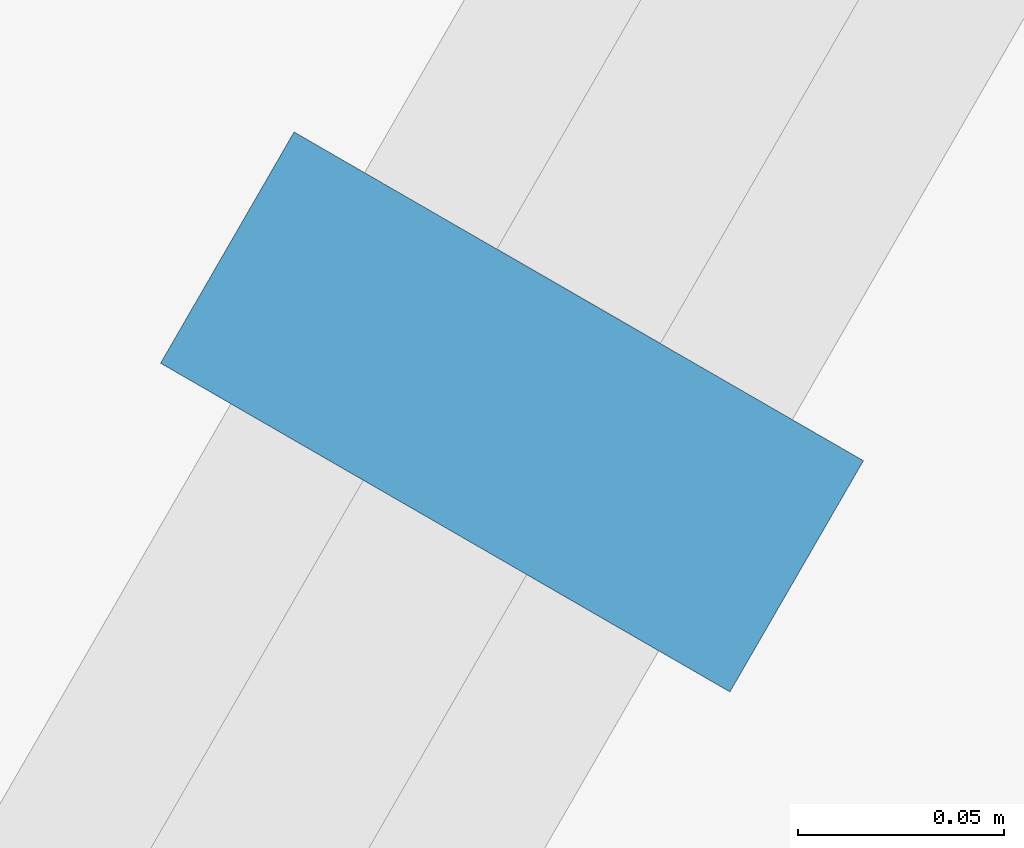
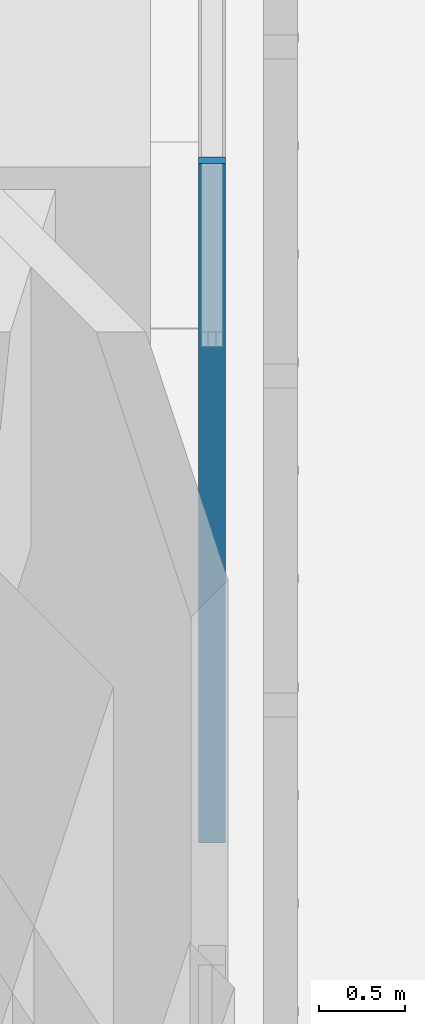
# One storey, part 81 of 228: 1 member, 1 element without a shape of its own.
"""IFC4 building model written with IfcOpenShell, lengths in metres."""

from ifc_helpers import new_model, si_unit, direction, frame, origin, origin_2d, place, context, subcontext, project, spatial, rectangle, extrude, material, material_profile, profile_set, type_object, element, aggregate, save


model = new_model("IFC4")

# Units and contexts
model_context = context("Model", 3, precision=1e-05, world=origin(), true_north=direction((0.0, 1.0)))
body_context = subcontext(model_context, "Body", "Model", "MODEL_VIEW")
ifc_project = project(units=[si_unit("LENGTHUNIT", "METRE"), si_unit("AREAUNIT", "SQUARE_METRE"), si_unit("VOLUMEUNIT", "CUBIC_METRE"), si_unit("PLANEANGLEUNIT", "RADIAN"), si_unit("MASSUNIT", "GRAM", prefix="KILO")], contexts=[model_context])

# Site, building, storey
site_placement = place(None, origin())
site = spatial("IfcSite", under=ifc_project, at=site_placement, CompositionType="ELEMENT")
building_placement = place(site_placement, origin())
building = spatial("IfcBuilding", under=site, at=building_placement, Name="Sandreach Pilgrim Tower", CompositionType="ELEMENT")
storey_placement = place(building_placement, frame((0.0, 0.0, 178.199951171875)))
storey = spatial("IfcBuildingStorey", under=building, at=storey_placement, Name="L44", CompositionType="ELEMENT", Elevation=178.199951171875)

# Curtain wall, member
ifc_material_1 = material(Name="Aluminium framed curtain wall", Category="aluminium")
curtain_wall_type = type_object("IfcCurtainWallType", Name="Upper hotel tower curtain wall", PredefinedType="NOTDEFINED", material=ifc_material_1)
curtain_wall_placement = place(storey_placement, origin())
curtain_wall = element("IfcCurtainWall", 1, at=curtain_wall_placement, inside=storey, type_object=curtain_wall_type, Name="CW-3 L44 SE", PredefinedType="NOTDEFINED")
ifc_material_2 = material(Name="Aluminium extrusion", Category="aluminium")
ifc_material_profile = material_profile(ifc_material_2, rectangle(XDim=0.06494140625, YDim=0.159912109375, at=origin_2d()), Name="CW-3M 65X160")
ifc_profile_set = profile_set([ifc_material_profile], Name="Aluminium extrusion")
member_type = type_object("IfcMemberType", Name="CW-3 mullion", PredefinedType="MULLION", material=ifc_profile_set)
member_placement = place(storey_placement, frame((11.5625, -22.29345703125, 0.0), z_axis=(0.0, 0.0, 1.0), x_axis=(-0.5, -0.866025403784, 0.0)))
member = element("IfcMember", 2, at=member_placement, type_object=member_type, Name="CW-3 mullion 9", PredefinedType="MULLION", context=body_context, shape_type="SweptSolid", body=[
    extrude(rectangle(XDim=0.06494140625, YDim=0.159912109375, at=origin_2d()), origin(), (0.0, 0.0, 1.0), 4.840087890625),
])
aggregate(curtain_wall, [member])

save(model, "model.ifc")
